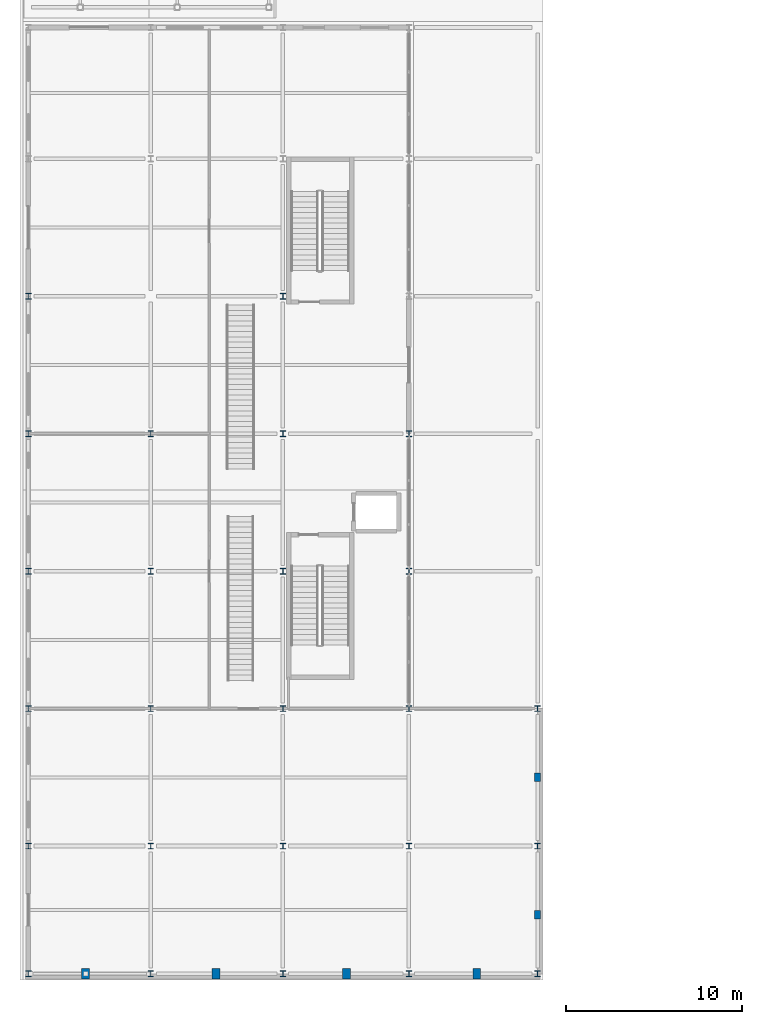
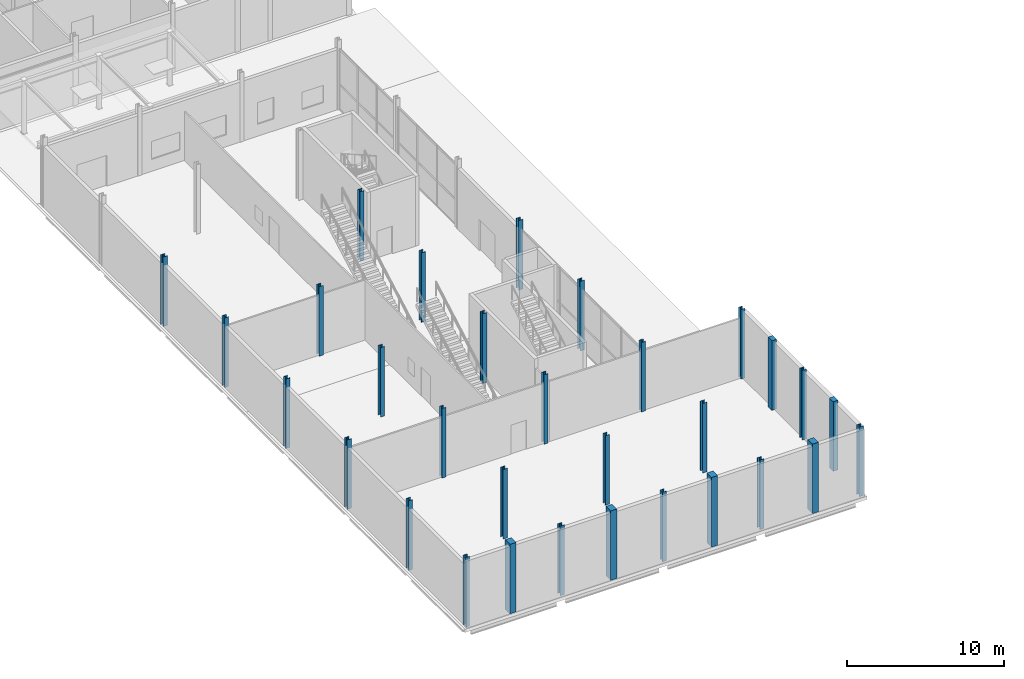
# One storey, part 1 of 83: 31 columns.
"""IFC4 building model written with IfcOpenShell, lengths in metres."""

from ifc_helpers import new_model, si_unit, direction, frame, origin, origin_2d, place, context, subcontext, project, spatial, rectangle, i_section, extrude, material, material_profile, profile_set, type_object, element, save


model = new_model("IFC4")

# Units and contexts
model_context = context("Model", 3, precision=1e-05, world=origin(), true_north=direction((0.0, 1.0)))
body_context = subcontext(model_context, "Body", "Model", "MODEL_VIEW")
ifc_project = project(units=[si_unit("LENGTHUNIT", "METRE"), si_unit("AREAUNIT", "SQUARE_METRE"), si_unit("VOLUMEUNIT", "CUBIC_METRE"), si_unit("PLANEANGLEUNIT", "RADIAN"), si_unit("MASSUNIT", "GRAM", prefix="KILO")], contexts=[model_context])

# Site, building, storey
site_placement = place(None, origin())
site = spatial("IfcSite", under=ifc_project, at=site_placement, CompositionType="ELEMENT")
building_placement = place(site_placement, origin())
building = spatial("IfcBuilding", under=site, at=building_placement, Name="Quillay Park Conservatory", CompositionType="ELEMENT")
storey_placement = place(building_placement, origin())
storey = spatial("IfcBuildingStorey", under=building, at=storey_placement, Name="L00", CompositionType="ELEMENT", Elevation=0.0)

# Columns
ifc_material_1 = material(Name="Steel ASTM A992 Grade 50", Category="steel")
ifc_material_profile_1 = material_profile(ifc_material_1, i_section(OverallWidth=0.30908203125, OverallDepth=0.322998046875, WebThickness=0.013916015625, FlangeThickness=0.02294921875, FilletRadius=0.014892578125, at=origin_2d()), Name="W310x143")
ifc_profile_set_1 = profile_set([ifc_material_profile_1], Name="Steel ASTM A992 Grade 50")
column_type_1 = type_object("IfcColumnType", Name="COMPOSITE STEEL COLUMN W310 X143", PredefinedType="COLUMN", material=ifc_profile_set_1)
for number, where, z_axis, x_axis, name in (
    (1, (0.550048828125, 0.550048828125, 0.0), (0.0, 0.0, 1.0), (1.0, 0.0, 0.0), "L00 column COL-V3-L00-0-0"),
    (2, (0.550048828125, 7.800048828125, 0.0), (0.0, 0.0, 1.0), (1.0, 0.0, 0.0), "L00 column COL-V3-L00-0-1"),
    (3, (0.550048828125, 15.60009765625, 0.0), (0.0, 0.0, 1.0), (1.0, 0.0, 0.0), "L00 column COL-V3-L00-0-2"),
    (4, (0.550048828125, 23.39990234375, 0.0), (0.0, 0.0, 1.0), (1.0, 0.0, 0.0), "L00 column COL-V3-L00-0-3"),
    (5, (0.550048828125, 31.199951171875, 0.0), (0.0, 0.0, 1.0), (1.0, 0.0, 0.0), "L00 column COL-V3-L00-0-4"),
    (6, (0.550048828125, 39.0, 0.0), (0.0, 0.0, 1.0), (1.0, 0.0, 0.0), "L00 column COL-V3-L00-0-5"),
    (7, (7.5, 0.550048828125, 0.0), (0.0, 0.0, 1.0), (1.0, 0.0, 0.0), "L00 column COL-V3-L00-1-0"),
    (8, (7.5, 7.800048828125, 0.0), (0.0, 0.0, 1.0), (1.0, 0.0, 0.0), "L00 column COL-V3-L00-1-1"),
    (9, (7.5, 15.60009765625, 0.0), (0.0, 0.0, 1.0), (1.0, 0.0, 0.0), "L00 column COL-V3-L00-1-2"),
    (10, (7.5, 23.39990234375, 0.0), (0.0, 0.0, 1.0), (1.0, 0.0, 0.0), "L00 column COL-V3-L00-1-3"),
    (11, (7.5, 31.199951171875, 0.0), (0.0, 0.0, 1.0), (1.0, 0.0, 0.0), "L00 column COL-V3-L00-1-4"),
    (12, (15.0, 0.550048828125, 0.0), (0.0, 0.0, 1.0), (1.0, 0.0, 0.0), "L00 column COL-V3-L00-2-0"),
    (13, (15.0, 7.800048828125, 0.0), (0.0, 0.0, 1.0), (1.0, 0.0, 0.0), "L00 column COL-V3-L00-2-1"),
    (14, (15.0, 15.60009765625, 0.0), (0.0, 0.0, 1.0), (1.0, 0.0, 0.0), "L00 column COL-V3-L00-2-2"),
    (15, (15.0, 23.39990234375, 0.0), (0.0, 0.0, 1.0), (1.0, 0.0, 0.0), "L00 column COL-V3-L00-2-3"),
    (16, (15.0, 31.199951171875, 0.0), (0.0, 0.0, 1.0), (1.0, 0.0, 0.0), "L00 column COL-V3-L00-2-4"),
    (17, (15.0, 39.0, 0.0), (0.0, 0.0, 1.0), (1.0, 0.0, 0.0), "L00 column COL-V3-L00-2-5"),
    (18, (22.14990234375, 0.550048828125, 0.0), (0.0, 0.0, 1.0), (1.0, 0.0, 0.0), "L00 column COL-V3-L00-3-0"),
    (19, (22.14990234375, 7.800048828125, 0.0), (0.0, 0.0, 1.0), (1.0, 0.0, 0.0), "L00 column COL-V3-L00-3-1"),
    (20, (22.14990234375, 15.60009765625, 0.0), (0.0, 0.0, 1.0), (1.0, 0.0, 0.0), "L00 column COL-V3-L00-3-2"),
    (21, (22.14990234375, 23.39990234375, 0.0), (0.0, 0.0, 1.0), (1.0, 0.0, 0.0), "L00 column COL-V3-L00-3-3"),
    (22, (22.14990234375, 31.199951171875, 0.0), (0.0, 0.0, 1.0), (1.0, 0.0, 0.0), "L00 column COL-V3-L00-3-4"),
    (23, (29.449951171875, 0.550048828125, 0.0), (0.0, 0.0, 1.0), (1.0, 0.0, 0.0), "L00 column COL-V3-L00-4-0"),
    (24, (29.449951171875, 7.800048828125, 0.0), (0.0, 0.0, 1.0), (1.0, 0.0, 0.0), "L00 column COL-V3-L00-4-1"),
    (25, (29.449951171875, 15.60009765625, 0.0), (0.0, 0.0, 1.0), (1.0, 0.0, 0.0), "L00 column COL-V3-L00-4-2"),
):
    element("IfcColumn", number, at=place(storey_placement, frame(where, z_axis=z_axis, x_axis=x_axis)), inside=storey, type_object=column_type_1, Name=name, PredefinedType="COLUMN", context=body_context, shape_type="SweptSolid", body=[
        extrude(i_section(OverallWidth=0.30908203125, OverallDepth=0.322998046875, WebThickness=0.013916015625, FlangeThickness=0.02294921875, FilletRadius=0.014892578125, at=origin_2d()), origin(), (0.0, 0.0, 1.0), 5.39990234375),
    ])
ifc_material_2 = material(Name="Concrete C35/45 (NCh170 Concrete C35/45)", Category="concrete")
ifc_material_profile_2 = material_profile(ifc_material_2, rectangle(XDim=0.35009765625, YDim=0.5, at=origin_2d()), Name="RC500x350")
ifc_profile_set_2 = profile_set([ifc_material_profile_2], Name="Concrete C35/45 (NCh170 Concrete C35/45)")
column_type_2 = type_object("IfcColumnType", Name="ENGAGED CONCRETE PILASTER 500 X350", PredefinedType="PILASTER", material=ifc_profile_set_2)
for number, where, z_axis, x_axis, name in (
    (26, (29.449951171875, 3.89990234375, 0.0), (0.0, 0.0, 1.0), (1.0, 0.0, 0.0), "L00 column PIL-V3-L00-4"),
    (27, (29.449951171875, 11.699951171875, 0.0), (0.0, 0.0, 1.0), (1.0, 0.0, 0.0), "L00 column PIL-V3-L00-5"),
):
    element("IfcColumn", number, at=place(storey_placement, frame(where, z_axis=z_axis, x_axis=x_axis)), inside=storey, type_object=column_type_2, Name=name, PredefinedType="PILASTER", context=body_context, shape_type="SweptSolid", body=[
        extrude(rectangle(XDim=0.35009765625, YDim=0.5, at=origin_2d()), origin(), (0.0, 0.0, 1.0), 5.39990234375),
    ])
ifc_material_3 = material(Name="Concrete C35/45 (NCh170 Concrete C35/45)", Category="concrete")
ifc_material_profile_3 = material_profile(ifc_material_3, rectangle(XDim=0.449951171875, YDim=0.60009765625, at=origin_2d()), Name="RC600x450")
ifc_profile_set_3 = profile_set([ifc_material_profile_3], Name="Concrete C35/45 (NCh170 Concrete C35/45)")
column_type_3 = type_object("IfcColumnType", Name="ENGAGED CONCRETE PILASTER 600 X450", PredefinedType="PILASTER", material=ifc_profile_set_3)
for number, where, z_axis, x_axis, name in (
    (28, (3.800048828125, 0.550048828125, 0.0), (0.0, 0.0, 1.0), (1.0, 0.0, 0.0), "L00 column PIL-V3-L00-0"),
    (29, (11.199951171875, 0.550048828125, 0.0), (0.0, 0.0, 1.0), (1.0, 0.0, 0.0), "L00 column PIL-V3-L00-1"),
    (30, (18.60009765625, 0.550048828125, 0.0), (0.0, 0.0, 1.0), (1.0, 0.0, 0.0), "L00 column PIL-V3-L00-2"),
    (31, (26.0, 0.550048828125, 0.0), (0.0, 0.0, 1.0), (1.0, 0.0, 0.0), "L00 column PIL-V3-L00-3"),
):
    element("IfcColumn", number, at=place(storey_placement, frame(where, z_axis=z_axis, x_axis=x_axis)), inside=storey, type_object=column_type_3, Name=name, PredefinedType="PILASTER", context=body_context, shape_type="SweptSolid", body=[
        extrude(rectangle(XDim=0.449951171875, YDim=0.60009765625, at=origin_2d()), origin(), (0.0, 0.0, 1.0), 5.39990234375),
    ])

save(model, "model.ifc")
